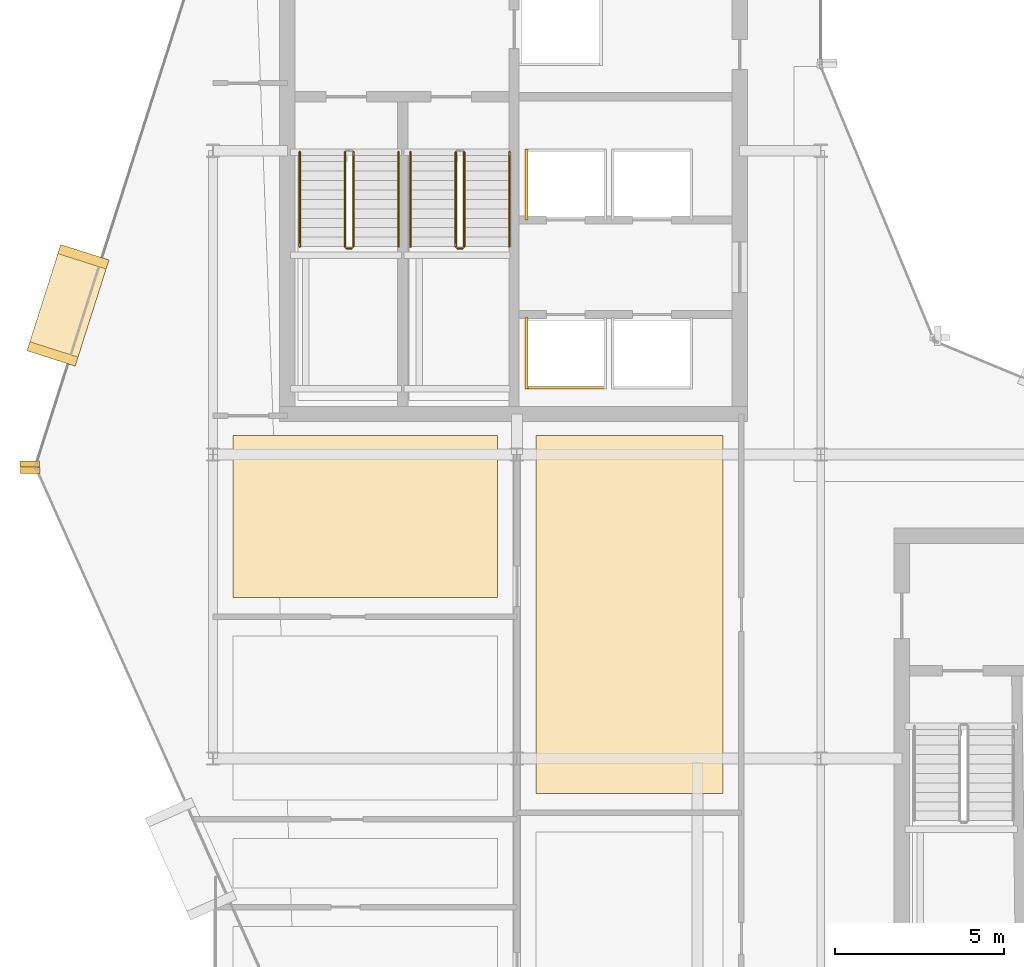
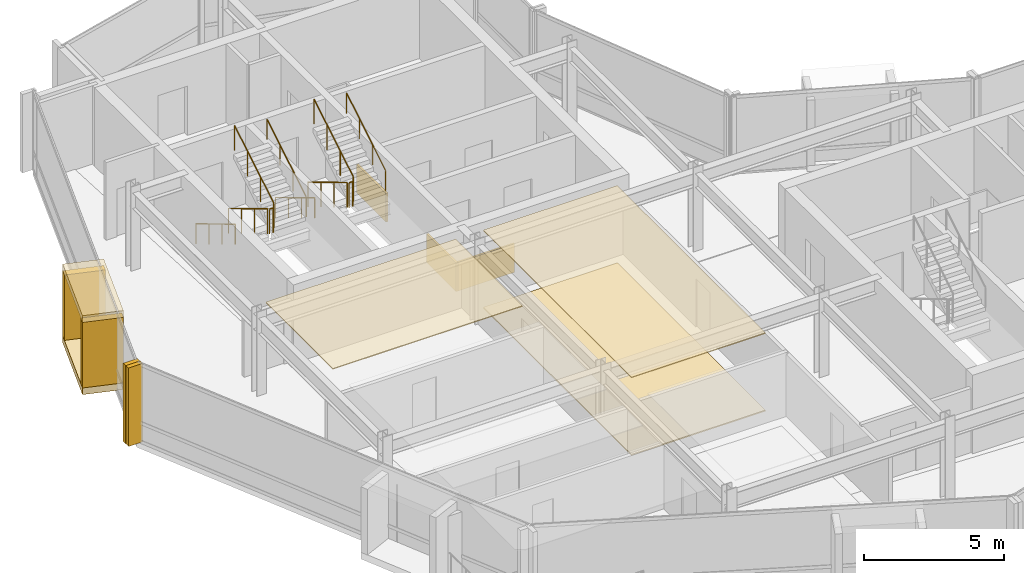
# One storey, part 17 of 19: 12 coverings, 10 railings.
"""IFC4 building model written with IfcOpenShell, lengths in metres."""

from ifc_helpers import new_model, si_unit, direction, frame, origin, origin_2d, place, context, subcontext, project, spatial, polyline, rectangle, circle, outline, extrude, material, layer, layer_set, type_object, element, save


model = new_model("IFC4")

# Units and contexts
model_context = context("Model", 3, precision=1e-05, world=origin(), true_north=direction((0.0, 1.0)))
body_context = subcontext(model_context, "Body", "Model", "MODEL_VIEW")
ifc_project = project(units=[si_unit("LENGTHUNIT", "METRE"), si_unit("AREAUNIT", "SQUARE_METRE"), si_unit("VOLUMEUNIT", "CUBIC_METRE"), si_unit("PLANEANGLEUNIT", "RADIAN"), si_unit("MASSUNIT", "GRAM", prefix="KILO")], contexts=[model_context])

# Site, building, storey
site_placement = place(None, origin())
site = spatial("IfcSite", under=ifc_project, at=site_placement, CompositionType="ELEMENT")
building_placement = place(site_placement, origin())
building = spatial("IfcBuilding", under=site, at=building_placement, Name="Solvaryn Broadcast Tower", CompositionType="ELEMENT")
storey_placement = place(building_placement, frame((0.0, 0.0, 240.800048828125)))
storey = spatial("IfcBuildingStorey", under=building, at=storey_placement, Name="L60", CompositionType="ELEMENT", Elevation=240.800048828125)

# Coverings
ifc_material_1 = material(Name="Micro-Perforated Acoustic Gypsum Ceiling", Category="concrete")
ifc_layer_1 = layer(ifc_material_1, 0.0400390625)
ifc_layer_set_1 = layer_set([ifc_layer_1], Name="CV-CEIL-ACOUSTIC")
covering_type_1 = type_object("IfcCoveringType", Name="CV-CEIL-ACOUSTIC", PredefinedType="CEILING", material=ifc_layer_set_1)
covering_1_placement = place(storey_placement, frame((0.0, 0.0, 3.3798828125)))
element("IfcCovering", 1, at=covering_1_placement, inside=storey, type_object=covering_type_1, Name="L60 Room Acoustic Ceiling 2", PredefinedType="CEILING", context=body_context, shape_type="SweptSolid", body=[
    extrude(outline(polyline([(18.570068359375, 16.969970703125), (24.10009765625, 16.969970703125), (24.10009765625, 27.56005859375), (18.570068359375, 27.56005859375), (18.570068359375, 16.969970703125)])), origin(), (0.0, 0.0, 1.0), 0.0400390625),
])
covering_2_placement = place(storey_placement, frame((0.0, 0.0, 3.3798828125)))
element("IfcCovering", 2, at=covering_2_placement, inside=storey, type_object=covering_type_1, Name="L60 Room Acoustic Ceiling 6", PredefinedType="CEILING", context=body_context, shape_type="SweptSolid", body=[
    extrude(outline(polyline([(9.60009765625, 22.77001953125), (17.429931640625, 22.77001953125), (17.429931640625, 27.56005859375), (9.60009765625, 27.56005859375), (9.60009765625, 22.77001953125)])), origin(), (0.0, 0.0, 1.0), 0.0400390625),
])
ifc_material_2 = material(Name="Newsroom Raised Data Access Flooring", Category="steel")
ifc_layer_2 = layer(ifc_material_2, 0.050048828125)
ifc_layer_set_2 = layer_set([ifc_layer_2], Name="CV-FLOOR-RAISED")
covering_type_2 = type_object("IfcCoveringType", Name="CV-FLOOR-RAISED", PredefinedType="FLOORING", material=ifc_layer_set_2)
covering_3_placement = place(storey_placement, origin())
element("IfcCovering", 3, at=covering_3_placement, inside=storey, type_object=covering_type_2, Name="L60 Room Acoustic Floor Finish 2", PredefinedType="FLOORING", context=body_context, shape_type="SweptSolid", body=[
    extrude(outline(polyline([(18.570068359375, 16.969970703125), (24.10009765625, 16.969970703125), (24.10009765625, 27.56005859375), (18.570068359375, 27.56005859375), (18.570068359375, 16.969970703125)])), origin(), (0.0, 0.0, 1.0), 0.050048828125),
])
ifc_material_3 = material(Name="Fire-Rated Gypsum Shaftwall Liner", Category="concrete")
ifc_layer_3 = layer(ifc_material_3, 0.080078125)
ifc_layer_set_3 = layer_set([ifc_layer_3], Name="CV-SHAFT-LINER")
covering_type_3 = type_object("IfcCoveringType", Name="CV-SHAFT-LINER", PredefinedType="CLADDING", material=ifc_layer_set_3)
covering_4_placement = place(storey_placement, frame((19.449951171875, 28.985107421875, 0.0), z_axis=(0.0, 0.0, 1.0), x_axis=(1.0, 0.0, 0.0)))
element("IfcCovering", 4, at=covering_4_placement, inside=storey, type_object=covering_type_3, Name="L60 PH1 Hoistway Shaft Liner South", PredefinedType="CLADDING", context=body_context, shape_type="SweptSolid", body=[
    extrude(rectangle(XDim=2.409912109375, YDim=0.080078125, at=origin_2d()), origin(), (0.0, 0.0, 1.0), 1.25),
])
for number, where, z_axis, x_axis, name in (
    (5, (18.284912109375, 30.0, 0.0), (0.0, 0.0, 1.0), (1.0, 0.0, 0.0), "L60 PH1 Hoistway Shaft Liner West"),
    (6, (18.284912109375, 35.0, 0.0), (0.0, 0.0, 1.0), (1.0, 0.0, 0.0), "L60 PH3 Hoistway Shaft Liner West"),
):
    element("IfcCovering", number, at=place(storey_placement, frame(where, z_axis=z_axis, x_axis=x_axis)), inside=storey, type_object=covering_type_3, Name=name, PredefinedType="CLADDING", context=body_context, shape_type="SweptSolid", body=[
        extrude(rectangle(XDim=0.080078125, YDim=2.110107421875, at=origin_2d()), origin(), (0.0, 0.0, 1.0), 1.25),
    ])
ifc_material_4 = material(Name="Glazed Architectural Terracotta Rainscreen Cladding", Category="masonry")
ifc_layer_4 = layer(ifc_material_4, 0.280029296875)
ifc_layer_set_4 = layer_set([ifc_layer_4], Name="CV-TC-CLAD")
covering_type_4 = type_object("IfcCoveringType", Name="CV-TC-CLAD", PredefinedType="CLADDING", material=ifc_layer_set_4)
for number, where, z_axis, x_axis, name in (
    (7, (4.7060546875, 31.4208984375, 3.1298828125), (0.0, 0.0, 1.0), (-0.303534206887, -0.952820541996, 0.0), "L60 Projecting Stone Window Box Hood 1"),
    (8, (4.7060546875, 31.4208984375, -0.01025390625), (0.0, 0.0, 1.0), (-0.303534206887, -0.952820541996, 0.0), "L60 Projecting Stone Window Box Sill 1"),
):
    element("IfcCovering", number, at=place(storey_placement, frame(where, z_axis=z_axis, x_axis=x_axis)), inside=storey, type_object=covering_type_4, Name=name, PredefinedType="CLADDING", context=body_context, shape_type="SweptSolid", body=[
        extrude(rectangle(XDim=3.300048828125, YDim=1.5, at=origin_2d()), origin(), (0.0, 0.0, 1.0), 0.300048828125),
    ])
for number, where, z_axis, x_axis, name in (
    (9, (5.164306640625, 32.85986328125, 0.27978515625), (0.0, 0.0, 1.0), (-0.303534206887, -0.952820541996, 0.0), "L60 Projecting Stone Window Box Cheek 1-1"),
    (10, (4.247802734375, 29.982177734375, 0.27978515625), (0.0, 0.0, 1.0), (-0.303534206887, -0.952820541996, 0.0), "L60 Projecting Stone Window Box Cheek 1-2"),
):
    element("IfcCovering", number, at=place(storey_placement, frame(where, z_axis=z_axis, x_axis=x_axis)), inside=storey, type_object=covering_type_4, Name=name, PredefinedType="CLADDING", context=body_context, shape_type="SweptSolid", body=[
        extrude(rectangle(XDim=0.280029296875, YDim=1.5, at=origin_2d()), origin(), (0.0, 0.0, 1.0), 2.860107421875),
    ])
ifc_material_5 = material(Name="Extruded Architectural Terracotta Fin", Category="masonry")
ifc_layer_5 = layer(ifc_material_5, 0.179931640625)
ifc_layer_set_5 = layer_set([ifc_layer_5], Name="CV-TC-FIN")
covering_type_5 = type_object("IfcCoveringType", Name="CV-TC-FIN", PredefinedType="USERDEFINED", material=ifc_layer_set_5)
for number, where, z_axis, x_axis, name in (
    (11, (3.575439453125, 26.71923828125, 0.0), (0.0, 0.0, 1.0), (1.0, 0.0, 0.0), "L60 Terracotta Vertical Fin FIN-L60-DR1-M01"),
    (12, (3.5859375, 26.53515625, 0.0), (0.0, 0.0, 1.0), (1.0, 0.0, 0.0), "L60 Terracotta Vertical Fin FIN-L60-DR2-M00"),
):
    element("IfcCovering", number, at=place(storey_placement, frame(where, z_axis=z_axis, x_axis=x_axis)), inside=storey, type_object=covering_type_5, Name=name, ObjectType="FIN", PredefinedType="USERDEFINED", context=body_context, shape_type="SweptSolid", body=[
        extrude(rectangle(XDim=0.580078125, YDim=0.179931640625, at=origin_2d()), origin(), (0.0, 0.0, 1.0), 3.419921875),
    ])

# Railings
ifc_material_6 = material(Name="Painted Steel Stair Well Guard", Category="steel")
railing_type_1 = type_object("IfcRailingType", Name="RL-STAIR-GUARD", PredefinedType="BALUSTRADE", material=ifc_material_6)
railing_1_placement = place(storey_placement, frame((12.909912109375, 35.9599609375, 0.168212890625)))
element("IfcRailing", 13, at=railing_1_placement, inside=storey, type_object=railing_type_1, Name="L60 ST1 stair guard 1", PredefinedType="BALUSTRADE", context=body_context, shape_type="SweptSolid", body=[
    extrude(circle(Radius=0.02392578125, at=origin_2d()), frame((0.0, 0.0, 1.076171875), z_axis=(0.0, -0.857275202839, 0.514858452973), x_axis=(1.0, 0.0, 0.0)), (0.0, 0.0, 1.0), 3.26611328125),
    extrude(circle(Radius=0.02099609375, at=origin_2d()), origin(), (0.0, 0.0, 1.0), 1.052001953125),
    extrude(circle(Radius=0.02099609375, at=origin_2d()), frame((0.0, -0.933349609375, 0.560546875)), (0.0, 0.0, 1.0), 1.052001953125),
    extrude(circle(Radius=0.02099609375, at=origin_2d()), frame((0.0, -1.86669921875, 1.12109375)), (0.0, 0.0, 1.0), 1.052001953125),
    extrude(circle(Radius=0.02099609375, at=origin_2d()), frame((0.0, -2.800048828125, 1.681640625)), (0.0, 0.0, 1.0), 1.052001953125),
])
railing_2_placement = place(storey_placement, frame((12.9599609375, 33.110107421875, 1.849853515625)))
element("IfcRailing", 14, at=railing_2_placement, inside=storey, type_object=railing_type_1, Name="L60 ST1 stair guard 2", PredefinedType="BALUSTRADE", context=body_context, shape_type="SweptSolid", body=[
    extrude(circle(Radius=0.02392578125, at=origin_2d()), frame((0.0, 0.0, 1.076171875), z_axis=(1.0, 0.0, 0.0), x_axis=(0.0, 1.0, 0.0)), (0.0, 0.0, 1.0), 0.150146484375),
    extrude(circle(Radius=0.02099609375, at=origin_2d()), origin(), (0.0, 0.0, 1.0), 1.052001953125),
    extrude(circle(Radius=0.02099609375, at=origin_2d()), frame((0.150146484375, 0.0, 0.0)), (0.0, 0.0, 1.0), 1.052001953125),
])
railing_3_placement = place(storey_placement, frame((13.159912109375, 33.159912109375, 2.01806640625)))
element("IfcRailing", 15, at=railing_3_placement, inside=storey, type_object=railing_type_1, Name="L60 ST1 stair guard 3", PredefinedType="BALUSTRADE", context=body_context, shape_type="SweptSolid", body=[
    extrude(circle(Radius=0.02392578125, at=origin_2d()), frame((0.0, 0.0, 1.076171875), z_axis=(0.0, 0.857242210791, 0.514913383045), x_axis=(-1.0, 0.0, 0.0)), (0.0, 0.0, 1.0), 3.266357421875),
    extrude(circle(Radius=0.02099609375, at=origin_2d()), origin(), (0.0, 0.0, 1.0), 1.052001953125),
    extrude(circle(Radius=0.02099609375, at=origin_2d()), frame((0.0, 0.933349609375, 0.560546875)), (0.0, 0.0, 1.0), 1.052001953125),
    extrude(circle(Radius=0.02099609375, at=origin_2d()), frame((0.0, 1.86669921875, 1.121337890625)), (0.0, 0.0, 1.0), 1.052001953125),
    extrude(circle(Radius=0.02099609375, at=origin_2d()), frame((0.0, 2.800048828125, 1.681884765625)), (0.0, 0.0, 1.0), 1.052001953125),
])
railing_4_placement = place(storey_placement, frame((16.18994140625, 35.9599609375, 0.168212890625)))
element("IfcRailing", 16, at=railing_4_placement, inside=storey, type_object=railing_type_1, Name="L60 ST2 stair guard 1", PredefinedType="BALUSTRADE", context=body_context, shape_type="SweptSolid", body=[
    extrude(circle(Radius=0.02392578125, at=origin_2d()), frame((0.0, 0.0, 1.076171875), z_axis=(0.0, -0.857275202839, 0.514858452973), x_axis=(1.0, 0.0, 0.0)), (0.0, 0.0, 1.0), 3.26611328125),
    extrude(circle(Radius=0.02099609375, at=origin_2d()), origin(), (0.0, 0.0, 1.0), 1.052001953125),
    extrude(circle(Radius=0.02099609375, at=origin_2d()), frame((0.0, -0.933349609375, 0.560546875)), (0.0, 0.0, 1.0), 1.052001953125),
    extrude(circle(Radius=0.02099609375, at=origin_2d()), frame((0.0, -1.86669921875, 1.12109375)), (0.0, 0.0, 1.0), 1.052001953125),
    extrude(circle(Radius=0.02099609375, at=origin_2d()), frame((0.0, -2.800048828125, 1.681640625)), (0.0, 0.0, 1.0), 1.052001953125),
])
railing_5_placement = place(storey_placement, frame((16.239990234375, 33.110107421875, 1.849853515625)))
element("IfcRailing", 17, at=railing_5_placement, inside=storey, type_object=railing_type_1, Name="L60 ST2 stair guard 2", PredefinedType="BALUSTRADE", context=body_context, shape_type="SweptSolid", body=[
    extrude(circle(Radius=0.02392578125, at=origin_2d()), frame((0.0, 0.0, 1.076171875), z_axis=(1.0, 0.0, 0.0), x_axis=(0.0, 1.0, 0.0)), (0.0, 0.0, 1.0), 0.14990234375),
    extrude(circle(Radius=0.02099609375, at=origin_2d()), origin(), (0.0, 0.0, 1.0), 1.052001953125),
    extrude(circle(Radius=0.02099609375, at=origin_2d()), frame((0.14990234375, 0.0, 0.0)), (0.0, 0.0, 1.0), 1.052001953125),
])
railing_6_placement = place(storey_placement, frame((16.43994140625, 33.159912109375, 2.01806640625)))
element("IfcRailing", 18, at=railing_6_placement, inside=storey, type_object=railing_type_1, Name="L60 ST2 stair guard 3", PredefinedType="BALUSTRADE", context=body_context, shape_type="SweptSolid", body=[
    extrude(circle(Radius=0.02392578125, at=origin_2d()), frame((0.0, 0.0, 1.076171875), z_axis=(0.0, 0.857242210791, 0.514913383045), x_axis=(-1.0, 0.0, 0.0)), (0.0, 0.0, 1.0), 3.266357421875),
    extrude(circle(Radius=0.02099609375, at=origin_2d()), origin(), (0.0, 0.0, 1.0), 1.052001953125),
    extrude(circle(Radius=0.02099609375, at=origin_2d()), frame((0.0, 0.933349609375, 0.560546875)), (0.0, 0.0, 1.0), 1.052001953125),
    extrude(circle(Radius=0.02099609375, at=origin_2d()), frame((0.0, 1.86669921875, 1.121337890625)), (0.0, 0.0, 1.0), 1.052001953125),
    extrude(circle(Radius=0.02099609375, at=origin_2d()), frame((0.0, 2.800048828125, 1.681884765625)), (0.0, 0.0, 1.0), 1.052001953125),
])
ifc_material_7 = material(Name="Brushed Stainless Steel Tubular Handrail", Category="steel")
railing_type_2 = type_object("IfcRailingType", Name="RL-STAIR-HANDRAIL", PredefinedType="HANDRAIL", material=ifc_material_7)
railing_7_placement = place(storey_placement, frame((11.570068359375, 35.9599609375, 0.168212890625)))
element("IfcRailing", 19, at=railing_7_placement, inside=storey, type_object=railing_type_2, Name="L60 ST1 stair handrail 1", PredefinedType="HANDRAIL", context=body_context, shape_type="SweptSolid", body=[
    extrude(circle(Radius=0.02392578125, at=origin_2d()), frame((0.0, 0.0, 0.8759765625), z_axis=(0.0, -0.857275202839, 0.514858452973), x_axis=(1.0, 0.0, 0.0)), (0.0, 0.0, 1.0), 3.26611328125),
    extrude(circle(Radius=0.02099609375, at=origin_2d()), origin(), (0.0, 0.0, 1.0), 0.851806640625),
    extrude(circle(Radius=0.02099609375, at=origin_2d()), frame((0.0, -0.933349609375, 0.560546875)), (0.0, 0.0, 1.0), 0.851806640625),
    extrude(circle(Radius=0.02099609375, at=origin_2d()), frame((0.0, -1.86669921875, 1.12109375)), (0.0, 0.0, 1.0), 0.851806640625),
    extrude(circle(Radius=0.02099609375, at=origin_2d()), frame((0.0, -2.800048828125, 1.681640625)), (0.0, 0.0, 1.0), 0.851806640625),
])
railing_8_placement = place(storey_placement, frame((14.5, 33.159912109375, 2.01806640625)))
element("IfcRailing", 20, at=railing_8_placement, inside=storey, type_object=railing_type_2, Name="L60 ST1 stair handrail 2", PredefinedType="HANDRAIL", context=body_context, shape_type="SweptSolid", body=[
    extrude(circle(Radius=0.02392578125, at=origin_2d()), frame((0.0, 0.0, 0.8759765625), z_axis=(0.0, 0.857242210791, 0.514913383045), x_axis=(-1.0, 0.0, 0.0)), (0.0, 0.0, 1.0), 3.266357421875),
    extrude(circle(Radius=0.02099609375, at=origin_2d()), origin(), (0.0, 0.0, 1.0), 0.851806640625),
    extrude(circle(Radius=0.02099609375, at=origin_2d()), frame((0.0, 0.933349609375, 0.560546875)), (0.0, 0.0, 1.0), 0.851806640625),
    extrude(circle(Radius=0.02099609375, at=origin_2d()), frame((0.0, 1.86669921875, 1.121337890625)), (0.0, 0.0, 1.0), 0.851806640625),
    extrude(circle(Radius=0.02099609375, at=origin_2d()), frame((0.0, 2.800048828125, 1.681884765625)), (0.0, 0.0, 1.0), 0.851806640625),
])
railing_9_placement = place(storey_placement, frame((14.85009765625, 35.9599609375, 0.168212890625)))
element("IfcRailing", 21, at=railing_9_placement, inside=storey, type_object=railing_type_2, Name="L60 ST2 stair handrail 1", PredefinedType="HANDRAIL", context=body_context, shape_type="SweptSolid", body=[
    extrude(circle(Radius=0.02392578125, at=origin_2d()), frame((0.0, 0.0, 0.8759765625), z_axis=(0.0, -0.857275202839, 0.514858452973), x_axis=(1.0, 0.0, 0.0)), (0.0, 0.0, 1.0), 3.26611328125),
    extrude(circle(Radius=0.02099609375, at=origin_2d()), origin(), (0.0, 0.0, 1.0), 0.851806640625),
    extrude(circle(Radius=0.02099609375, at=origin_2d()), frame((0.0, -0.933349609375, 0.560546875)), (0.0, 0.0, 1.0), 0.851806640625),
    extrude(circle(Radius=0.02099609375, at=origin_2d()), frame((0.0, -1.86669921875, 1.12109375)), (0.0, 0.0, 1.0), 0.851806640625),
    extrude(circle(Radius=0.02099609375, at=origin_2d()), frame((0.0, -2.800048828125, 1.681640625)), (0.0, 0.0, 1.0), 0.851806640625),
])
railing_10_placement = place(storey_placement, frame((17.780029296875, 33.159912109375, 2.01806640625)))
element("IfcRailing", 22, at=railing_10_placement, inside=storey, type_object=railing_type_2, Name="L60 ST2 stair handrail 2", PredefinedType="HANDRAIL", context=body_context, shape_type="SweptSolid", body=[
    extrude(circle(Radius=0.02392578125, at=origin_2d()), frame((0.0, 0.0, 0.8759765625), z_axis=(0.0, 0.857242210791, 0.514913383045), x_axis=(-1.0, 0.0, 0.0)), (0.0, 0.0, 1.0), 3.266357421875),
    extrude(circle(Radius=0.02099609375, at=origin_2d()), origin(), (0.0, 0.0, 1.0), 0.851806640625),
    extrude(circle(Radius=0.02099609375, at=origin_2d()), frame((0.0, 0.933349609375, 0.560546875)), (0.0, 0.0, 1.0), 0.851806640625),
    extrude(circle(Radius=0.02099609375, at=origin_2d()), frame((0.0, 1.86669921875, 1.121337890625)), (0.0, 0.0, 1.0), 0.851806640625),
    extrude(circle(Radius=0.02099609375, at=origin_2d()), frame((0.0, 2.800048828125, 1.681884765625)), (0.0, 0.0, 1.0), 0.851806640625),
])

save(model, "model.ifc")
